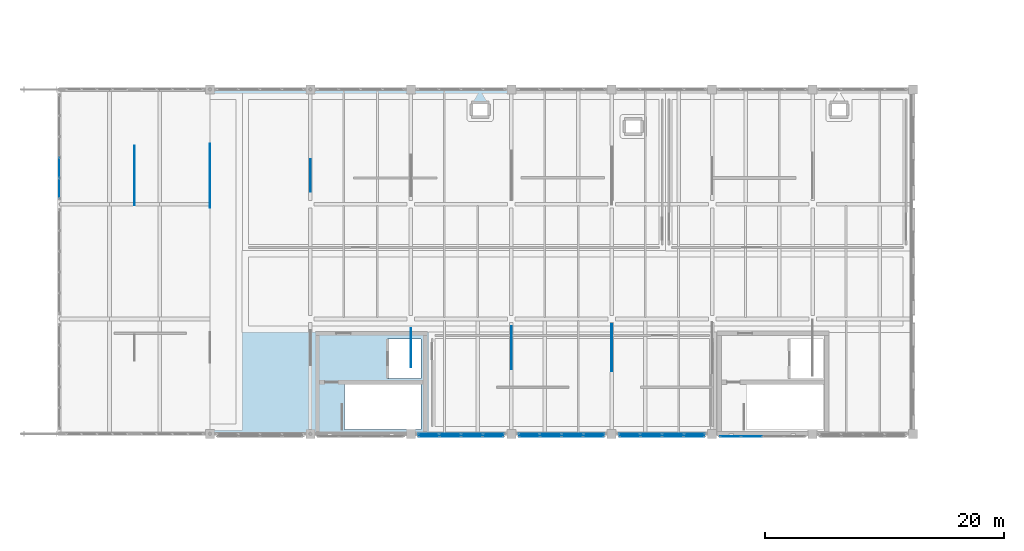
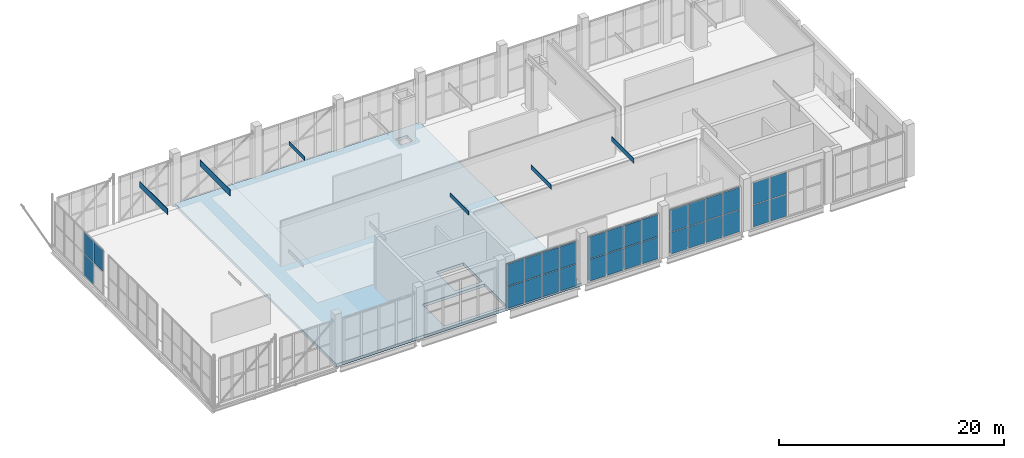
# One storey, part 29 of 49: 61 plates, 1 slab, 8 elements without a shape of their own.
"""IFC4 building model written with IfcOpenShell, lengths in metres."""

from ifc_helpers import new_model, si_unit, direction, frame, origin, origin_2d, place, context, subcontext, project, spatial, polyline, rectangle, outline, extrude, material, layer, layer_set, type_object, element, aggregate, save


model = new_model("IFC4")

# Units and contexts
model_context = context("Model", 3, precision=1e-05, world=origin(), true_north=direction((0.0, 1.0)))
body_context = subcontext(model_context, "Body", "Model", "MODEL_VIEW")
ifc_project = project(units=[si_unit("LENGTHUNIT", "METRE"), si_unit("AREAUNIT", "SQUARE_METRE"), si_unit("VOLUMEUNIT", "CUBIC_METRE"), si_unit("PLANEANGLEUNIT", "RADIAN"), si_unit("MASSUNIT", "GRAM", prefix="KILO")], contexts=[model_context])

# Site, building, storey
site_placement = place(None, origin())
site = spatial("IfcSite", under=ifc_project, at=site_placement, CompositionType="ELEMENT")
building_placement = place(site_placement, origin())
building = spatial("IfcBuilding", under=site, at=building_placement, Name="Zulmaris Art Gallery", CompositionType="ELEMENT")
storey_placement = place(building_placement, frame((0.0, 0.0, 20.699951171875)))
storey = spatial("IfcBuildingStorey", under=building, at=storey_placement, Name="L04", CompositionType="ELEMENT", Elevation=20.699951171875)

# Curtain wall, plates
ifc_material_1 = material(Name="Unitised Low-E Gallery Curtain Wall", Category="aluminium")
ifc_layer_1 = layer(ifc_material_1, 0.179931640625)
ifc_layer_set_1 = layer_set([ifc_layer_1], Name="Unitised Low-E Gallery Curtain Wall")
curtain_wall_type_1 = type_object("IfcCurtainWallType", Name="CW-CW01", PredefinedType="NOTDEFINED", material=ifc_layer_set_1)
curtain_wall_1_placement = place(storey_placement, origin())
curtain_wall_1 = element("IfcCurtainWall", 1, at=curtain_wall_1_placement, inside=storey, type_object=curtain_wall_type_1, Name="L04 curtain wall 26", PredefinedType="NOTDEFINED")
ifc_material_2 = material(Name="Triple Solar-Control Laminated Glass", Category="glass")
ifc_layer_2 = layer(ifc_material_2, 0.035888671875)
ifc_layer_set_2 = layer_set([ifc_layer_2], Name="Triple Solar-Control Laminated Glass")
plate_type_1 = type_object("IfcPlateType", Name="CWPAN-GLZ", PredefinedType="CURTAIN_PANEL", material=ifc_layer_set_2)
plate_1_placement = place(storey_placement, frame((42.273681640625, 21.60009765625, 0.0751953125), z_axis=(0.0, 0.0, 1.0), x_axis=(1.0, 0.0, 0.0)))
plate_1 = element("IfcPlate", 2, at=plate_1_placement, type_object=plate_type_1, Name="CW01 panel 1.1", PredefinedType="CURTAIN_PANEL", context=body_context, shape_type="SweptSolid", body=[
    extrude(rectangle(XDim=1.717529296875, YDim=0.031982421875, at=origin_2d()), origin(), (0.0, 0.0, 1.0), 2.33740234375),
])
plate_2_placement = place(storey_placement, frame((42.273681640625, 21.60009765625, 2.487548828125), z_axis=(0.0, 0.0, 1.0), x_axis=(1.0, 0.0, 0.0)))
plate_2 = element("IfcPlate", 3, at=plate_2_placement, type_object=plate_type_1, Name="CW01 panel 1.2", PredefinedType="CURTAIN_PANEL", context=body_context, shape_type="SweptSolid", body=[
    extrude(rectangle(XDim=1.717529296875, YDim=0.031982421875, at=origin_2d()), origin(), (0.0, 0.0, 1.0), 2.33740234375),
])
plate_3_placement = place(storey_placement, frame((44.0849609375, 21.60009765625, 0.0751953125), z_axis=(0.0, 0.0, 1.0), x_axis=(1.0, 0.0, 0.0)))
plate_3 = element("IfcPlate", 4, at=plate_3_placement, type_object=plate_type_1, Name="CW01 panel 2.1", PredefinedType="CURTAIN_PANEL", context=body_context, shape_type="SweptSolid", body=[
    extrude(rectangle(XDim=1.7548828125, YDim=0.031982421875, at=origin_2d()), origin(), (0.0, 0.0, 1.0), 2.33740234375),
])
plate_4_placement = place(storey_placement, frame((44.0849609375, 21.60009765625, 2.487548828125), z_axis=(0.0, 0.0, 1.0), x_axis=(1.0, 0.0, 0.0)))
plate_4 = element("IfcPlate", 5, at=plate_4_placement, type_object=plate_type_1, Name="CW01 panel 2.2", PredefinedType="CURTAIN_PANEL", context=body_context, shape_type="SweptSolid", body=[
    extrude(rectangle(XDim=1.7548828125, YDim=0.031982421875, at=origin_2d()), origin(), (0.0, 0.0, 1.0), 2.33740234375),
])
plate_5_placement = place(storey_placement, frame((45.9150390625, 21.60009765625, 0.0751953125), z_axis=(0.0, 0.0, 1.0), x_axis=(1.0, 0.0, 0.0)))
plate_5 = element("IfcPlate", 6, at=plate_5_placement, type_object=plate_type_1, Name="CW01 panel 3.1", PredefinedType="CURTAIN_PANEL", context=body_context, shape_type="SweptSolid", body=[
    extrude(rectangle(XDim=1.7548828125, YDim=0.031982421875, at=origin_2d()), origin(), (0.0, 0.0, 1.0), 2.33740234375),
])
plate_6_placement = place(storey_placement, frame((45.9150390625, 21.60009765625, 2.487548828125), z_axis=(0.0, 0.0, 1.0), x_axis=(1.0, 0.0, 0.0)))
plate_6 = element("IfcPlate", 7, at=plate_6_placement, type_object=plate_type_1, Name="CW01 panel 3.2", PredefinedType="CURTAIN_PANEL", context=body_context, shape_type="SweptSolid", body=[
    extrude(rectangle(XDim=1.7548828125, YDim=0.031982421875, at=origin_2d()), origin(), (0.0, 0.0, 1.0), 2.33740234375),
])
plate_7_placement = place(storey_placement, frame((47.726318359375, 21.60009765625, 0.0751953125), z_axis=(0.0, 0.0, 1.0), x_axis=(1.0, 0.0, 0.0)))
plate_7 = element("IfcPlate", 8, at=plate_7_placement, type_object=plate_type_1, Name="CW01 panel 4.1", PredefinedType="CURTAIN_PANEL", context=body_context, shape_type="SweptSolid", body=[
    extrude(rectangle(XDim=1.717529296875, YDim=0.031982421875, at=origin_2d()), origin(), (0.0, 0.0, 1.0), 2.33740234375),
])
plate_8_placement = place(storey_placement, frame((47.726318359375, 21.60009765625, 2.487548828125), z_axis=(0.0, 0.0, 1.0), x_axis=(1.0, 0.0, 0.0)))
plate_8 = element("IfcPlate", 9, at=plate_8_placement, type_object=plate_type_1, Name="CW01 panel 4.2", PredefinedType="CURTAIN_PANEL", context=body_context, shape_type="SweptSolid", body=[
    extrude(rectangle(XDim=1.717529296875, YDim=0.031982421875, at=origin_2d()), origin(), (0.0, 0.0, 1.0), 2.33740234375),
])
aggregate(curtain_wall_1, [plate_1, plate_2, plate_3, plate_4, plate_5, plate_6, plate_7, plate_8])

curtain_wall_2_placement = place(storey_placement, origin())
curtain_wall_2 = element("IfcCurtainWall", 10, at=curtain_wall_2_placement, inside=storey, type_object=curtain_wall_type_1, Name="L04 curtain wall 28", PredefinedType="NOTDEFINED")
plate_9_placement = place(storey_placement, frame((50.673828125, 21.60009765625, 0.0751953125), z_axis=(0.0, 0.0, 1.0), x_axis=(1.0, 0.0, 0.0)))
plate_9 = element("IfcPlate", 11, at=plate_9_placement, type_object=plate_type_1, Name="CW01 panel 1.1", PredefinedType="CURTAIN_PANEL", context=body_context, shape_type="SweptSolid", body=[
    extrude(rectangle(XDim=1.717529296875, YDim=0.031982421875, at=origin_2d()), origin(), (0.0, 0.0, 1.0), 2.33740234375),
])
plate_10_placement = place(storey_placement, frame((50.673828125, 21.60009765625, 2.487548828125), z_axis=(0.0, 0.0, 1.0), x_axis=(1.0, 0.0, 0.0)))
plate_10 = element("IfcPlate", 12, at=plate_10_placement, type_object=plate_type_1, Name="CW01 panel 1.2", PredefinedType="CURTAIN_PANEL", context=body_context, shape_type="SweptSolid", body=[
    extrude(rectangle(XDim=1.717529296875, YDim=0.031982421875, at=origin_2d()), origin(), (0.0, 0.0, 1.0), 2.33740234375),
])
plate_11_placement = place(storey_placement, frame((52.485107421875, 21.60009765625, 0.0751953125), z_axis=(0.0, 0.0, 1.0), x_axis=(1.0, 0.0, 0.0)))
plate_11 = element("IfcPlate", 13, at=plate_11_placement, type_object=plate_type_1, Name="CW01 panel 2.1", PredefinedType="CURTAIN_PANEL", context=body_context, shape_type="SweptSolid", body=[
    extrude(rectangle(XDim=1.7548828125, YDim=0.031982421875, at=origin_2d()), origin(), (0.0, 0.0, 1.0), 2.33740234375),
])
plate_12_placement = place(storey_placement, frame((52.485107421875, 21.60009765625, 2.487548828125), z_axis=(0.0, 0.0, 1.0), x_axis=(1.0, 0.0, 0.0)))
plate_12 = element("IfcPlate", 14, at=plate_12_placement, type_object=plate_type_1, Name="CW01 panel 2.2", PredefinedType="CURTAIN_PANEL", context=body_context, shape_type="SweptSolid", body=[
    extrude(rectangle(XDim=1.7548828125, YDim=0.031982421875, at=origin_2d()), origin(), (0.0, 0.0, 1.0), 2.33740234375),
])
plate_13_placement = place(storey_placement, frame((54.31494140625, 21.60009765625, 0.0751953125), z_axis=(0.0, 0.0, 1.0), x_axis=(1.0, 0.0, 0.0)))
plate_13 = element("IfcPlate", 15, at=plate_13_placement, type_object=plate_type_1, Name="CW01 panel 3.1", PredefinedType="CURTAIN_PANEL", context=body_context, shape_type="SweptSolid", body=[
    extrude(rectangle(XDim=1.7548828125, YDim=0.031982421875, at=origin_2d()), origin(), (0.0, 0.0, 1.0), 2.33740234375),
])
plate_14_placement = place(storey_placement, frame((54.31494140625, 21.60009765625, 2.487548828125), z_axis=(0.0, 0.0, 1.0), x_axis=(1.0, 0.0, 0.0)))
plate_14 = element("IfcPlate", 16, at=plate_14_placement, type_object=plate_type_1, Name="CW01 panel 3.2", PredefinedType="CURTAIN_PANEL", context=body_context, shape_type="SweptSolid", body=[
    extrude(rectangle(XDim=1.7548828125, YDim=0.031982421875, at=origin_2d()), origin(), (0.0, 0.0, 1.0), 2.33740234375),
])
plate_15_placement = place(storey_placement, frame((56.126220703125, 21.60009765625, 0.0751953125), z_axis=(0.0, 0.0, 1.0), x_axis=(1.0, 0.0, 0.0)))
plate_15 = element("IfcPlate", 17, at=plate_15_placement, type_object=plate_type_1, Name="CW01 panel 4.1", PredefinedType="CURTAIN_PANEL", context=body_context, shape_type="SweptSolid", body=[
    extrude(rectangle(XDim=1.717529296875, YDim=0.031982421875, at=origin_2d()), origin(), (0.0, 0.0, 1.0), 2.33740234375),
])
plate_16_placement = place(storey_placement, frame((56.126220703125, 21.60009765625, 2.487548828125), z_axis=(0.0, 0.0, 1.0), x_axis=(1.0, 0.0, 0.0)))
plate_16 = element("IfcPlate", 18, at=plate_16_placement, type_object=plate_type_1, Name="CW01 panel 4.2", PredefinedType="CURTAIN_PANEL", context=body_context, shape_type="SweptSolid", body=[
    extrude(rectangle(XDim=1.717529296875, YDim=0.031982421875, at=origin_2d()), origin(), (0.0, 0.0, 1.0), 2.33740234375),
])
aggregate(curtain_wall_2, [plate_9, plate_10, plate_11, plate_12, plate_13, plate_14, plate_15, plate_16])

curtain_wall_3_placement = place(storey_placement, origin())
curtain_wall_3 = element("IfcCurtainWall", 19, at=curtain_wall_3_placement, inside=storey, type_object=curtain_wall_type_1, Name="L04 curtain wall 30", PredefinedType="NOTDEFINED")
plate_17_placement = place(storey_placement, frame((59.07373046875, 21.60009765625, 0.0751953125), z_axis=(0.0, 0.0, 1.0), x_axis=(1.0, 0.0, 0.0)))
plate_17 = element("IfcPlate", 20, at=plate_17_placement, type_object=plate_type_1, Name="CW01 panel 1.1", PredefinedType="CURTAIN_PANEL", context=body_context, shape_type="SweptSolid", body=[
    extrude(rectangle(XDim=1.717529296875, YDim=0.031982421875, at=origin_2d()), origin(), (0.0, 0.0, 1.0), 2.33740234375),
])
plate_18_placement = place(storey_placement, frame((59.07373046875, 21.60009765625, 2.487548828125), z_axis=(0.0, 0.0, 1.0), x_axis=(1.0, 0.0, 0.0)))
plate_18 = element("IfcPlate", 21, at=plate_18_placement, type_object=plate_type_1, Name="CW01 panel 1.2", PredefinedType="CURTAIN_PANEL", context=body_context, shape_type="SweptSolid", body=[
    extrude(rectangle(XDim=1.717529296875, YDim=0.031982421875, at=origin_2d()), origin(), (0.0, 0.0, 1.0), 2.33740234375),
])
plate_19_placement = place(storey_placement, frame((60.885009765625, 21.60009765625, 0.0751953125), z_axis=(0.0, 0.0, 1.0), x_axis=(1.0, 0.0, 0.0)))
plate_19 = element("IfcPlate", 22, at=plate_19_placement, type_object=plate_type_1, Name="CW01 panel 2.1", PredefinedType="CURTAIN_PANEL", context=body_context, shape_type="SweptSolid", body=[
    extrude(rectangle(XDim=1.7548828125, YDim=0.031982421875, at=origin_2d()), origin(), (0.0, 0.0, 1.0), 2.33740234375),
])
plate_20_placement = place(storey_placement, frame((60.885009765625, 21.60009765625, 2.487548828125), z_axis=(0.0, 0.0, 1.0), x_axis=(1.0, 0.0, 0.0)))
plate_20 = element("IfcPlate", 23, at=plate_20_placement, type_object=plate_type_1, Name="CW01 panel 2.2", PredefinedType="CURTAIN_PANEL", context=body_context, shape_type="SweptSolid", body=[
    extrude(rectangle(XDim=1.7548828125, YDim=0.031982421875, at=origin_2d()), origin(), (0.0, 0.0, 1.0), 2.33740234375),
])
plate_21_placement = place(storey_placement, frame((62.715087890625, 21.60009765625, 0.0751953125), z_axis=(0.0, 0.0, 1.0), x_axis=(1.0, 0.0, 0.0)))
plate_21 = element("IfcPlate", 24, at=plate_21_placement, type_object=plate_type_1, Name="CW01 panel 3.1", PredefinedType="CURTAIN_PANEL", context=body_context, shape_type="SweptSolid", body=[
    extrude(rectangle(XDim=1.7548828125, YDim=0.031982421875, at=origin_2d()), origin(), (0.0, 0.0, 1.0), 2.33740234375),
])
plate_22_placement = place(storey_placement, frame((62.715087890625, 21.60009765625, 2.487548828125), z_axis=(0.0, 0.0, 1.0), x_axis=(1.0, 0.0, 0.0)))
plate_22 = element("IfcPlate", 25, at=plate_22_placement, type_object=plate_type_1, Name="CW01 panel 3.2", PredefinedType="CURTAIN_PANEL", context=body_context, shape_type="SweptSolid", body=[
    extrude(rectangle(XDim=1.7548828125, YDim=0.031982421875, at=origin_2d()), origin(), (0.0, 0.0, 1.0), 2.33740234375),
])
plate_23_placement = place(storey_placement, frame((64.5263671875, 21.60009765625, 0.0751953125), z_axis=(0.0, 0.0, 1.0), x_axis=(1.0, 0.0, 0.0)))
plate_23 = element("IfcPlate", 26, at=plate_23_placement, type_object=plate_type_1, Name="CW01 panel 4.1", PredefinedType="CURTAIN_PANEL", context=body_context, shape_type="SweptSolid", body=[
    extrude(rectangle(XDim=1.717529296875, YDim=0.031982421875, at=origin_2d()), origin(), (0.0, 0.0, 1.0), 2.33740234375),
])
plate_24_placement = place(storey_placement, frame((64.5263671875, 21.60009765625, 2.487548828125), z_axis=(0.0, 0.0, 1.0), x_axis=(1.0, 0.0, 0.0)))
plate_24 = element("IfcPlate", 27, at=plate_24_placement, type_object=plate_type_1, Name="CW01 panel 4.2", PredefinedType="CURTAIN_PANEL", context=body_context, shape_type="SweptSolid", body=[
    extrude(rectangle(XDim=1.717529296875, YDim=0.031982421875, at=origin_2d()), origin(), (0.0, 0.0, 1.0), 2.33740234375),
])
aggregate(curtain_wall_3, [plate_17, plate_18, plate_19, plate_20, plate_21, plate_22, plate_23, plate_24])

ifc_material_3 = material(Name="Belvedere Horizon Glazed Curtain Wall", Category="aluminium")
ifc_layer_3 = layer(ifc_material_3, 0.179931640625)
ifc_layer_set_3 = layer_set([ifc_layer_3], Name="Belvedere Horizon Glazed Curtain Wall")
curtain_wall_type_2 = type_object("IfcCurtainWallType", Name="CW-CW02", PredefinedType="NOTDEFINED", material=ifc_layer_set_3)
curtain_wall_4_placement = place(storey_placement, origin())
curtain_wall_4 = element("IfcCurtainWall", 28, at=curtain_wall_4_placement, inside=storey, type_object=curtain_wall_type_2, Name="L04 curtain wall 37", PredefinedType="NOTDEFINED")
plate_25_placement = place(storey_placement, frame((11.39990234375, 42.138671875, 2.487548828125), z_axis=(0.0, 0.0, 1.0), x_axis=(0.0, 1.0, 0.0)))
plate_25 = element("IfcPlate", 29, at=plate_25_placement, type_object=plate_type_1, Name="CW02 panel 1.2", PredefinedType="CURTAIN_PANEL", context=body_context, shape_type="SweptSolid", body=[
    extrude(rectangle(XDim=1.62744140625, YDim=0.031982421875, at=origin_2d()), origin(), (0.0, 0.0, 1.0), 2.33740234375),
])
plate_26_placement = place(storey_placement, frame((11.39990234375, 43.860107421875, 0.0751953125), z_axis=(0.0, 0.0, 1.0), x_axis=(0.0, 1.0, 0.0)))
plate_26 = element("IfcPlate", 30, at=plate_26_placement, type_object=plate_type_1, Name="CW02 panel 2.1", PredefinedType="CURTAIN_PANEL", context=body_context, shape_type="SweptSolid", body=[
    extrude(rectangle(XDim=1.6650390625, YDim=0.031982421875, at=origin_2d()), origin(), (0.0, 0.0, 1.0), 2.33740234375),
])
plate_27_placement = place(storey_placement, frame((11.39990234375, 43.860107421875, 2.487548828125), z_axis=(0.0, 0.0, 1.0), x_axis=(0.0, 1.0, 0.0)))
plate_27 = element("IfcPlate", 31, at=plate_27_placement, type_object=plate_type_1, Name="CW02 panel 2.2", PredefinedType="CURTAIN_PANEL", context=body_context, shape_type="SweptSolid", body=[
    extrude(rectangle(XDim=1.6650390625, YDim=0.031982421875, at=origin_2d()), origin(), (0.0, 0.0, 1.0), 2.33740234375),
])
aggregate(curtain_wall_4, [plate_25, plate_26, plate_27])

ifc_material_4 = material(Name="Perforated Bronze Art Deco Mashrabiya Screen", Category="aluminium")
ifc_layer_4 = layer(ifc_material_4, 0.179931640625)
ifc_layer_set_4 = layer_set([ifc_layer_4], Name="Perforated Bronze Art Deco Mashrabiya Screen")
curtain_wall_type_3 = type_object("IfcCurtainWallType", Name="CW-CW06", PredefinedType="USERDEFINED", material=ifc_layer_set_4)
curtain_wall_5_placement = place(storey_placement, origin())
curtain_wall_5 = element("IfcCurtainWall", 32, at=curtain_wall_5_placement, inside=storey, type_object=curtain_wall_type_3, Name="L04 Mashrabiya screen 180", ObjectType="MASHRABIYA SCREEN", PredefinedType="USERDEFINED")
ifc_material_5 = material(Name="Perforated Cast Bronze Chevron Panel", Category="aluminium")
ifc_layer_5 = layer(ifc_material_5, 0.02392578125)
ifc_layer_set_5 = layer_set([ifc_layer_5], Name="Perforated Cast Bronze Chevron Panel")
plate_type_2 = type_object("IfcPlateType", Name="CWPAN-MSH", PredefinedType="CURTAIN_PANEL", material=ifc_layer_set_5)
plate_28_placement = place(storey_placement, frame((42.31884765625, 21.3798828125, 0.0751953125), z_axis=(0.0, 0.0, 1.0), x_axis=(1.0, 0.0, 0.0)))
plate_28 = element("IfcPlate", 33, at=plate_28_placement, type_object=plate_type_2, Name="CW06 panel 1.1", PredefinedType="CURTAIN_PANEL", context=body_context, shape_type="SweptSolid", body=[
    extrude(rectangle(XDim=1.6875, YDim=0.031982421875, at=origin_2d()), origin(), (0.0, 0.0, 1.0), 2.362548828125),
])
plate_29_placement = place(storey_placement, frame((42.31884765625, 21.3798828125, 2.5126953125), z_axis=(0.0, 0.0, 1.0), x_axis=(1.0, 0.0, 0.0)))
plate_29 = element("IfcPlate", 34, at=plate_29_placement, type_object=plate_type_2, Name="CW06 panel 1.2", PredefinedType="CURTAIN_PANEL", context=body_context, shape_type="SweptSolid", body=[
    extrude(rectangle(XDim=1.6875, YDim=0.031982421875, at=origin_2d()), origin(), (0.0, 0.0, 1.0), 2.362548828125),
])
plate_30_placement = place(storey_placement, frame((44.10009765625, 21.3798828125, 0.0751953125), z_axis=(0.0, 0.0, 1.0), x_axis=(1.0, 0.0, 0.0)))
plate_30 = element("IfcPlate", 35, at=plate_30_placement, type_object=plate_type_2, Name="CW06 panel 2.1", PredefinedType="CURTAIN_PANEL", context=body_context, shape_type="SweptSolid", body=[
    extrude(rectangle(XDim=1.72509765625, YDim=0.031982421875, at=origin_2d()), origin(), (0.0, 0.0, 1.0), 2.362548828125),
])
plate_31_placement = place(storey_placement, frame((44.10009765625, 21.3798828125, 2.5126953125), z_axis=(0.0, 0.0, 1.0), x_axis=(1.0, 0.0, 0.0)))
plate_31 = element("IfcPlate", 36, at=plate_31_placement, type_object=plate_type_2, Name="CW06 panel 2.2", PredefinedType="CURTAIN_PANEL", context=body_context, shape_type="SweptSolid", body=[
    extrude(rectangle(XDim=1.72509765625, YDim=0.031982421875, at=origin_2d()), origin(), (0.0, 0.0, 1.0), 2.362548828125),
])
plate_32_placement = place(storey_placement, frame((45.89990234375, 21.3798828125, 0.0751953125), z_axis=(0.0, 0.0, 1.0), x_axis=(1.0, 0.0, 0.0)))
plate_32 = element("IfcPlate", 37, at=plate_32_placement, type_object=plate_type_2, Name="CW06 panel 3.1", PredefinedType="CURTAIN_PANEL", context=body_context, shape_type="SweptSolid", body=[
    extrude(rectangle(XDim=1.72509765625, YDim=0.031982421875, at=origin_2d()), origin(), (0.0, 0.0, 1.0), 2.362548828125),
])
plate_33_placement = place(storey_placement, frame((45.89990234375, 21.3798828125, 2.5126953125), z_axis=(0.0, 0.0, 1.0), x_axis=(1.0, 0.0, 0.0)))
plate_33 = element("IfcPlate", 38, at=plate_33_placement, type_object=plate_type_2, Name="CW06 panel 3.2", PredefinedType="CURTAIN_PANEL", context=body_context, shape_type="SweptSolid", body=[
    extrude(rectangle(XDim=1.72509765625, YDim=0.031982421875, at=origin_2d()), origin(), (0.0, 0.0, 1.0), 2.362548828125),
])
plate_34_placement = place(storey_placement, frame((47.68115234375, 21.3798828125, 0.0751953125), z_axis=(0.0, 0.0, 1.0), x_axis=(1.0, 0.0, 0.0)))
plate_34 = element("IfcPlate", 39, at=plate_34_placement, type_object=plate_type_2, Name="CW06 panel 4.1", PredefinedType="CURTAIN_PANEL", context=body_context, shape_type="SweptSolid", body=[
    extrude(rectangle(XDim=1.6875, YDim=0.031982421875, at=origin_2d()), origin(), (0.0, 0.0, 1.0), 2.362548828125),
])
plate_35_placement = place(storey_placement, frame((47.68115234375, 21.3798828125, 2.5126953125), z_axis=(0.0, 0.0, 1.0), x_axis=(1.0, 0.0, 0.0)))
plate_35 = element("IfcPlate", 40, at=plate_35_placement, type_object=plate_type_2, Name="CW06 panel 4.2", PredefinedType="CURTAIN_PANEL", context=body_context, shape_type="SweptSolid", body=[
    extrude(rectangle(XDim=1.6875, YDim=0.031982421875, at=origin_2d()), origin(), (0.0, 0.0, 1.0), 2.362548828125),
])
aggregate(curtain_wall_5, [plate_28, plate_29, plate_30, plate_31, plate_32, plate_33, plate_34, plate_35])

curtain_wall_6_placement = place(storey_placement, origin())
curtain_wall_6 = element("IfcCurtainWall", 41, at=curtain_wall_6_placement, inside=storey, type_object=curtain_wall_type_3, Name="L04 Mashrabiya screen 181", ObjectType="MASHRABIYA SCREEN", PredefinedType="USERDEFINED")
plate_36_placement = place(storey_placement, frame((50.71875, 21.3798828125, 0.0751953125), z_axis=(0.0, 0.0, 1.0), x_axis=(1.0, 0.0, 0.0)))
plate_36 = element("IfcPlate", 42, at=plate_36_placement, type_object=plate_type_2, Name="CW06 panel 1.1", PredefinedType="CURTAIN_PANEL", context=body_context, shape_type="SweptSolid", body=[
    extrude(rectangle(XDim=1.6875, YDim=0.031982421875, at=origin_2d()), origin(), (0.0, 0.0, 1.0), 2.362548828125),
])
plate_37_placement = place(storey_placement, frame((50.71875, 21.3798828125, 2.5126953125), z_axis=(0.0, 0.0, 1.0), x_axis=(1.0, 0.0, 0.0)))
plate_37 = element("IfcPlate", 43, at=plate_37_placement, type_object=plate_type_2, Name="CW06 panel 1.2", PredefinedType="CURTAIN_PANEL", context=body_context, shape_type="SweptSolid", body=[
    extrude(rectangle(XDim=1.6875, YDim=0.031982421875, at=origin_2d()), origin(), (0.0, 0.0, 1.0), 2.362548828125),
])
plate_38_placement = place(storey_placement, frame((52.5, 21.3798828125, 0.0751953125), z_axis=(0.0, 0.0, 1.0), x_axis=(1.0, 0.0, 0.0)))
plate_38 = element("IfcPlate", 44, at=plate_38_placement, type_object=plate_type_2, Name="CW06 panel 2.1", PredefinedType="CURTAIN_PANEL", context=body_context, shape_type="SweptSolid", body=[
    extrude(rectangle(XDim=1.72509765625, YDim=0.031982421875, at=origin_2d()), origin(), (0.0, 0.0, 1.0), 2.362548828125),
])
plate_39_placement = place(storey_placement, frame((52.5, 21.3798828125, 2.5126953125), z_axis=(0.0, 0.0, 1.0), x_axis=(1.0, 0.0, 0.0)))
plate_39 = element("IfcPlate", 45, at=plate_39_placement, type_object=plate_type_2, Name="CW06 panel 2.2", PredefinedType="CURTAIN_PANEL", context=body_context, shape_type="SweptSolid", body=[
    extrude(rectangle(XDim=1.72509765625, YDim=0.031982421875, at=origin_2d()), origin(), (0.0, 0.0, 1.0), 2.362548828125),
])
plate_40_placement = place(storey_placement, frame((54.300048828125, 21.3798828125, 0.0751953125), z_axis=(0.0, 0.0, 1.0), x_axis=(1.0, 0.0, 0.0)))
plate_40 = element("IfcPlate", 46, at=plate_40_placement, type_object=plate_type_2, Name="CW06 panel 3.1", PredefinedType="CURTAIN_PANEL", context=body_context, shape_type="SweptSolid", body=[
    extrude(rectangle(XDim=1.72509765625, YDim=0.031982421875, at=origin_2d()), origin(), (0.0, 0.0, 1.0), 2.362548828125),
])
plate_41_placement = place(storey_placement, frame((54.300048828125, 21.3798828125, 2.5126953125), z_axis=(0.0, 0.0, 1.0), x_axis=(1.0, 0.0, 0.0)))
plate_41 = element("IfcPlate", 47, at=plate_41_placement, type_object=plate_type_2, Name="CW06 panel 3.2", PredefinedType="CURTAIN_PANEL", context=body_context, shape_type="SweptSolid", body=[
    extrude(rectangle(XDim=1.72509765625, YDim=0.031982421875, at=origin_2d()), origin(), (0.0, 0.0, 1.0), 2.362548828125),
])
plate_42_placement = place(storey_placement, frame((56.081298828125, 21.3798828125, 0.0751953125), z_axis=(0.0, 0.0, 1.0), x_axis=(1.0, 0.0, 0.0)))
plate_42 = element("IfcPlate", 48, at=plate_42_placement, type_object=plate_type_2, Name="CW06 panel 4.1", PredefinedType="CURTAIN_PANEL", context=body_context, shape_type="SweptSolid", body=[
    extrude(rectangle(XDim=1.6875, YDim=0.031982421875, at=origin_2d()), origin(), (0.0, 0.0, 1.0), 2.362548828125),
])
plate_43_placement = place(storey_placement, frame((56.081298828125, 21.3798828125, 2.5126953125), z_axis=(0.0, 0.0, 1.0), x_axis=(1.0, 0.0, 0.0)))
plate_43 = element("IfcPlate", 49, at=plate_43_placement, type_object=plate_type_2, Name="CW06 panel 4.2", PredefinedType="CURTAIN_PANEL", context=body_context, shape_type="SweptSolid", body=[
    extrude(rectangle(XDim=1.6875, YDim=0.031982421875, at=origin_2d()), origin(), (0.0, 0.0, 1.0), 2.362548828125),
])
aggregate(curtain_wall_6, [plate_36, plate_37, plate_38, plate_39, plate_40, plate_41, plate_42, plate_43])

curtain_wall_7_placement = place(storey_placement, origin())
curtain_wall_7 = element("IfcCurtainWall", 50, at=curtain_wall_7_placement, inside=storey, type_object=curtain_wall_type_3, Name="L04 Mashrabiya screen 182", ObjectType="MASHRABIYA SCREEN", PredefinedType="USERDEFINED")
plate_44_placement = place(storey_placement, frame((59.11865234375, 21.3798828125, 0.0751953125), z_axis=(0.0, 0.0, 1.0), x_axis=(1.0, 0.0, 0.0)))
plate_44 = element("IfcPlate", 51, at=plate_44_placement, type_object=plate_type_2, Name="CW06 panel 1.1", PredefinedType="CURTAIN_PANEL", context=body_context, shape_type="SweptSolid", body=[
    extrude(rectangle(XDim=1.6875, YDim=0.031982421875, at=origin_2d()), origin(), (0.0, 0.0, 1.0), 2.362548828125),
])
plate_45_placement = place(storey_placement, frame((59.11865234375, 21.3798828125, 2.5126953125), z_axis=(0.0, 0.0, 1.0), x_axis=(1.0, 0.0, 0.0)))
plate_45 = element("IfcPlate", 52, at=plate_45_placement, type_object=plate_type_2, Name="CW06 panel 1.2", PredefinedType="CURTAIN_PANEL", context=body_context, shape_type="SweptSolid", body=[
    extrude(rectangle(XDim=1.6875, YDim=0.031982421875, at=origin_2d()), origin(), (0.0, 0.0, 1.0), 2.362548828125),
])
plate_46_placement = place(storey_placement, frame((60.89990234375, 21.3798828125, 0.0751953125), z_axis=(0.0, 0.0, 1.0), x_axis=(1.0, 0.0, 0.0)))
plate_46 = element("IfcPlate", 53, at=plate_46_placement, type_object=plate_type_2, Name="CW06 panel 2.1", PredefinedType="CURTAIN_PANEL", context=body_context, shape_type="SweptSolid", body=[
    extrude(rectangle(XDim=1.72509765625, YDim=0.031982421875, at=origin_2d()), origin(), (0.0, 0.0, 1.0), 2.362548828125),
])
plate_47_placement = place(storey_placement, frame((60.89990234375, 21.3798828125, 2.5126953125), z_axis=(0.0, 0.0, 1.0), x_axis=(1.0, 0.0, 0.0)))
plate_47 = element("IfcPlate", 54, at=plate_47_placement, type_object=plate_type_2, Name="CW06 panel 2.2", PredefinedType="CURTAIN_PANEL", context=body_context, shape_type="SweptSolid", body=[
    extrude(rectangle(XDim=1.72509765625, YDim=0.031982421875, at=origin_2d()), origin(), (0.0, 0.0, 1.0), 2.362548828125),
])
plate_48_placement = place(storey_placement, frame((62.699951171875, 21.3798828125, 0.0751953125), z_axis=(0.0, 0.0, 1.0), x_axis=(1.0, 0.0, 0.0)))
plate_48 = element("IfcPlate", 55, at=plate_48_placement, type_object=plate_type_2, Name="CW06 panel 3.1", PredefinedType="CURTAIN_PANEL", context=body_context, shape_type="SweptSolid", body=[
    extrude(rectangle(XDim=1.72509765625, YDim=0.031982421875, at=origin_2d()), origin(), (0.0, 0.0, 1.0), 2.362548828125),
])
plate_49_placement = place(storey_placement, frame((62.699951171875, 21.3798828125, 2.5126953125), z_axis=(0.0, 0.0, 1.0), x_axis=(1.0, 0.0, 0.0)))
plate_49 = element("IfcPlate", 56, at=plate_49_placement, type_object=plate_type_2, Name="CW06 panel 3.2", PredefinedType="CURTAIN_PANEL", context=body_context, shape_type="SweptSolid", body=[
    extrude(rectangle(XDim=1.72509765625, YDim=0.031982421875, at=origin_2d()), origin(), (0.0, 0.0, 1.0), 2.362548828125),
])
plate_50_placement = place(storey_placement, frame((64.481201171875, 21.3798828125, 0.0751953125), z_axis=(0.0, 0.0, 1.0), x_axis=(1.0, 0.0, 0.0)))
plate_50 = element("IfcPlate", 57, at=plate_50_placement, type_object=plate_type_2, Name="CW06 panel 4.1", PredefinedType="CURTAIN_PANEL", context=body_context, shape_type="SweptSolid", body=[
    extrude(rectangle(XDim=1.6875, YDim=0.031982421875, at=origin_2d()), origin(), (0.0, 0.0, 1.0), 2.362548828125),
])
plate_51_placement = place(storey_placement, frame((64.481201171875, 21.3798828125, 2.5126953125), z_axis=(0.0, 0.0, 1.0), x_axis=(1.0, 0.0, 0.0)))
plate_51 = element("IfcPlate", 58, at=plate_51_placement, type_object=plate_type_2, Name="CW06 panel 4.2", PredefinedType="CURTAIN_PANEL", context=body_context, shape_type="SweptSolid", body=[
    extrude(rectangle(XDim=1.6875, YDim=0.031982421875, at=origin_2d()), origin(), (0.0, 0.0, 1.0), 2.362548828125),
])
aggregate(curtain_wall_7, [plate_44, plate_45, plate_46, plate_47, plate_48, plate_49, plate_50, plate_51])

curtain_wall_8_placement = place(storey_placement, origin())
curtain_wall_8 = element("IfcCurtainWall", 59, at=curtain_wall_8_placement, inside=storey, type_object=curtain_wall_type_3, Name="L04 Mashrabiya screen 183", ObjectType="MASHRABIYA SCREEN", PredefinedType="USERDEFINED")
plate_52_placement = place(storey_placement, frame((67.518798828125, 21.3798828125, 0.0751953125), z_axis=(0.0, 0.0, 1.0), x_axis=(1.0, 0.0, 0.0)))
plate_52 = element("IfcPlate", 60, at=plate_52_placement, type_object=plate_type_2, Name="CW06 panel 1.1", PredefinedType="CURTAIN_PANEL", context=body_context, shape_type="SweptSolid", body=[
    extrude(rectangle(XDim=1.6875, YDim=0.031982421875, at=origin_2d()), origin(), (0.0, 0.0, 1.0), 2.362548828125),
])
plate_53_placement = place(storey_placement, frame((67.518798828125, 21.3798828125, 2.5126953125), z_axis=(0.0, 0.0, 1.0), x_axis=(1.0, 0.0, 0.0)))
plate_53 = element("IfcPlate", 61, at=plate_53_placement, type_object=plate_type_2, Name="CW06 panel 1.2", PredefinedType="CURTAIN_PANEL", context=body_context, shape_type="SweptSolid", body=[
    extrude(rectangle(XDim=1.6875, YDim=0.031982421875, at=origin_2d()), origin(), (0.0, 0.0, 1.0), 2.362548828125),
])
plate_54_placement = place(storey_placement, frame((69.300048828125, 21.3798828125, 0.0751953125), z_axis=(0.0, 0.0, 1.0), x_axis=(1.0, 0.0, 0.0)))
plate_54 = element("IfcPlate", 62, at=plate_54_placement, type_object=plate_type_2, Name="CW06 panel 2.1", PredefinedType="CURTAIN_PANEL", context=body_context, shape_type="SweptSolid", body=[
    extrude(rectangle(XDim=1.72509765625, YDim=0.031982421875, at=origin_2d()), origin(), (0.0, 0.0, 1.0), 2.362548828125),
])
plate_55_placement = place(storey_placement, frame((69.300048828125, 21.3798828125, 2.5126953125), z_axis=(0.0, 0.0, 1.0), x_axis=(1.0, 0.0, 0.0)))
plate_55 = element("IfcPlate", 63, at=plate_55_placement, type_object=plate_type_2, Name="CW06 panel 2.2", PredefinedType="CURTAIN_PANEL", context=body_context, shape_type="SweptSolid", body=[
    extrude(rectangle(XDim=1.72509765625, YDim=0.031982421875, at=origin_2d()), origin(), (0.0, 0.0, 1.0), 2.362548828125),
])
aggregate(curtain_wall_8, [plate_52, plate_53, plate_54, plate_55])

# Plates
ifc_material_6 = material(Name="Perforated Bronze Acoustic Gallery Baffle", Category="aluminium")
ifc_layer_6 = layer(ifc_material_6, 0.0439453125)
ifc_layer_set_6 = layer_set([ifc_layer_6], Name="Perforated Bronze Acoustic Gallery Baffle")
plate_type_3 = type_object("IfcPlateType", Name="PLT-BF04", PredefinedType="SHEET", material=ifc_layer_set_6)
plate_56_placement = place(storey_placement, frame((40.800048828125, 28.800048828125, 6.93017578125), z_axis=(0.0, 0.0, 1.0), x_axis=(1.0, 0.0, 0.0)))
element("IfcPlate", 64, at=plate_56_placement, inside=storey, type_object=plate_type_3, Name="L04 Top-Lit Gallery Acoustic Ceiling Baffle 4", PredefinedType="SHEET", context=body_context, shape_type="SweptSolid", body=[
    extrude(rectangle(XDim=0.0439453125, YDim=3.25, at=origin_2d()), origin(), (0.0, 0.0, 1.0), 0.43994140625),
])
ifc_layer_7 = layer(ifc_material_6, 0.0458984375)
ifc_layer_set_7 = layer_set([ifc_layer_7], Name="Perforated Bronze Acoustic Gallery Baffle")
plate_type_4 = type_object("IfcPlateType", Name="PLT-BF05", PredefinedType="SHEET", material=ifc_layer_set_7)
plate_57_placement = place(storey_placement, frame((49.199951171875, 28.800048828125, 6.91015625), z_axis=(0.0, 0.0, 1.0), x_axis=(1.0, 0.0, 0.0)))
element("IfcPlate", 65, at=plate_57_placement, inside=storey, type_object=plate_type_4, Name="L04 Top-Lit Gallery Acoustic Ceiling Baffle 5", PredefinedType="SHEET", context=body_context, shape_type="SweptSolid", body=[
    extrude(rectangle(XDim=0.0458984375, YDim=3.60009765625, at=origin_2d()), origin(), (0.0, 0.0, 1.0), 0.47998046875),
])
ifc_layer_8 = layer(ifc_material_6, 0.048095703125)
ifc_layer_set_8 = layer_set([ifc_layer_8], Name="Perforated Bronze Acoustic Gallery Baffle")
plate_type_5 = type_object("IfcPlateType", Name="PLT-BF06", PredefinedType="SHEET", material=ifc_layer_set_8)
plate_58_placement = place(storey_placement, frame((57.60009765625, 28.800048828125, 6.89013671875), z_axis=(0.0, 0.0, 1.0), x_axis=(1.0, 0.0, 0.0)))
element("IfcPlate", 66, at=plate_58_placement, inside=storey, type_object=plate_type_5, Name="L04 Top-Lit Gallery Acoustic Ceiling Baffle 6", PredefinedType="SHEET", context=body_context, shape_type="SweptSolid", body=[
    extrude(rectangle(XDim=0.048095703125, YDim=3.949951171875, at=origin_2d()), origin(), (0.0, 0.0, 1.0), 0.52001953125),
])
ifc_layer_9 = layer(ifc_material_6, 0.053955078125)
ifc_layer_set_9 = layer_set([ifc_layer_9], Name="Perforated Bronze Acoustic Gallery Baffle")
plate_type_6 = type_object("IfcPlateType", Name="PLT-BF09", PredefinedType="SHEET", material=ifc_layer_set_9)
plate_59_placement = place(storey_placement, frame((17.699951171875, 43.199951171875, 6.830078125), z_axis=(0.0, 0.0, 1.0), x_axis=(1.0, 0.0, 0.0)))
element("IfcPlate", 67, at=plate_59_placement, inside=storey, type_object=plate_type_6, Name="L04 Top-Lit Gallery Acoustic Ceiling Baffle 9", PredefinedType="SHEET", context=body_context, shape_type="SweptSolid", body=[
    extrude(rectangle(XDim=0.053955078125, YDim=5.0, at=origin_2d()), origin(), (0.0, 0.0, 1.0), 0.639892578125),
])
ifc_layer_10 = layer(ifc_material_6, 0.055908203125)
ifc_layer_set_10 = layer_set([ifc_layer_10], Name="Perforated Bronze Acoustic Gallery Baffle")
plate_type_7 = type_object("IfcPlateType", Name="PLT-BF10", PredefinedType="SHEET", material=ifc_layer_set_10)
plate_60_placement = place(storey_placement, frame((24.0, 43.199951171875, 6.81005859375), z_axis=(0.0, 0.0, 1.0), x_axis=(1.0, 0.0, 0.0)))
element("IfcPlate", 68, at=plate_60_placement, inside=storey, type_object=plate_type_7, Name="L04 Top-Lit Gallery Acoustic Ceiling Baffle 10", PredefinedType="SHEET", context=body_context, shape_type="SweptSolid", body=[
    extrude(rectangle(XDim=0.055908203125, YDim=5.35009765625, at=origin_2d()), origin(), (0.0, 0.0, 1.0), 0.679931640625),
])
ifc_layer_11 = layer(ifc_material_6, 0.044921875)
ifc_layer_set_11 = layer_set([ifc_layer_11], Name="Perforated Bronze Acoustic Gallery Baffle")
plate_type_8 = type_object("IfcPlateType", Name="PLT-BF11", PredefinedType="SHEET", material=ifc_layer_set_11)
plate_61_placement = place(storey_placement, frame((32.39990234375, 43.199951171875, 6.940185546875), z_axis=(0.0, 0.0, 1.0), x_axis=(1.0, 0.0, 0.0)))
element("IfcPlate", 69, at=plate_61_placement, inside=storey, type_object=plate_type_8, Name="L04 Top-Lit Gallery Acoustic Ceiling Baffle 11", PredefinedType="SHEET", context=body_context, shape_type="SweptSolid", body=[
    extrude(rectangle(XDim=0.044921875, YDim=2.75, at=origin_2d()), origin(), (0.0, 0.0, 1.0), 0.419921875),
])

# Slab
ifc_material_7 = material(Name="Concrete C40/50", Category="concrete")
ifc_layer_12 = layer(ifc_material_7, 0.31005859375)
ifc_layer_set_12 = layer_set([ifc_layer_12], Name="Concrete C40/50")
slab_type = type_object("IfcSlabType", Name="SLAB-SL-FL03", PredefinedType="FLOOR", material=ifc_layer_set_12)
slab_placement = place(storey_placement, frame((0.0, 0.0, -0.31005859375)))
element("IfcSlab", 70, at=slab_placement, inside=storey, type_object=slab_type, Name="L04 V1-HALL-W slab", PredefinedType="FLOOR", context=body_context, shape_type="SweptSolid", body=[
    extrude(outline(polyline([(24.0, 21.60009765625), (24.0, 50.39990234375), (49.199951171875, 50.39990234375), (49.199951171875, 21.60009765625), (24.0, 21.60009765625)]), holes=[polyline([(35.260009765625, 21.949951171875), (41.64990234375, 21.949951171875), (41.64990234375, 25.7900390625), (35.260009765625, 25.7900390625), (35.260009765625, 21.949951171875)]), polyline([(38.85009765625, 26.219970703125), (41.64990234375, 26.219970703125), (41.64990234375, 29.550048828125), (38.85009765625, 29.550048828125), (38.85009765625, 26.219970703125)]), polyline([(46.0, 48.199951171875), (47.199951171875, 48.199951171875), (47.199951171875, 49.199951171875), (46.0, 49.199951171875), (46.0, 48.199951171875)])]), origin(), (0.0, 0.0, 1.0), 0.31005859375),
])

save(model, "model.ifc")
